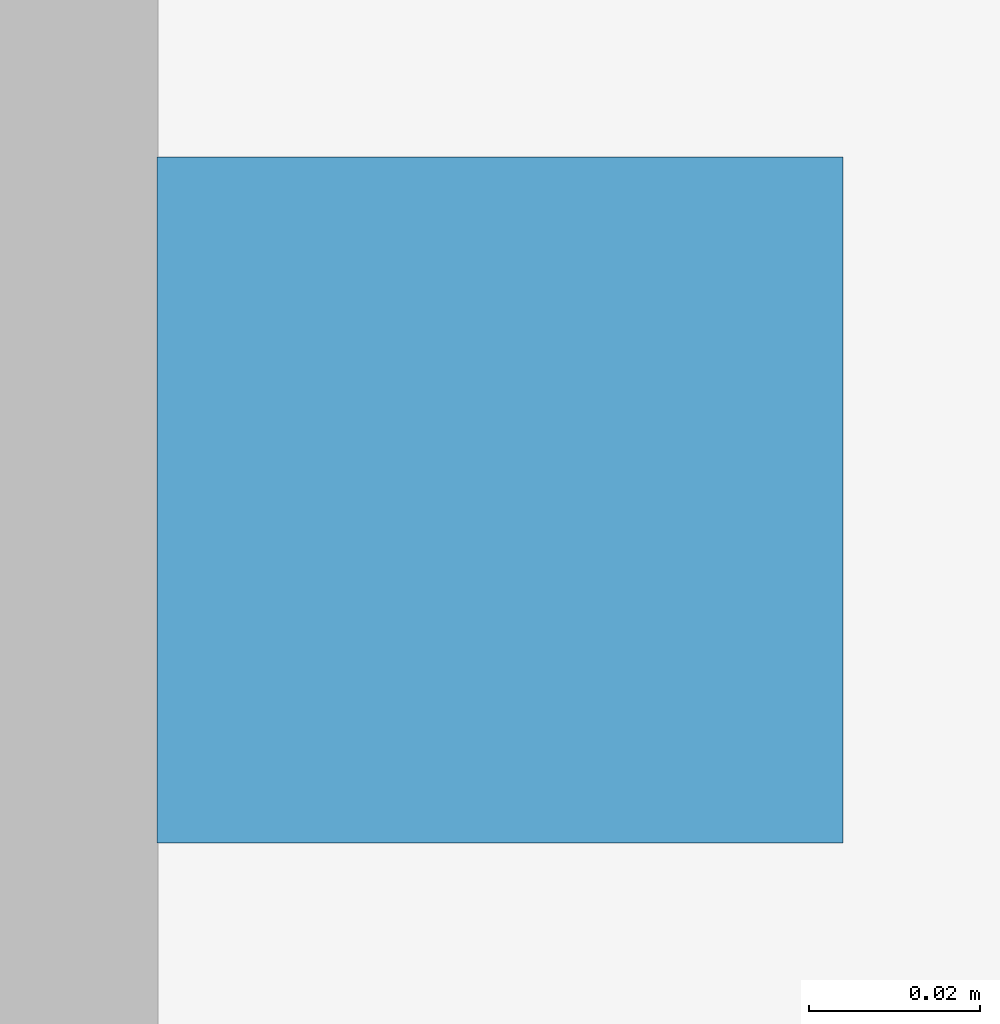
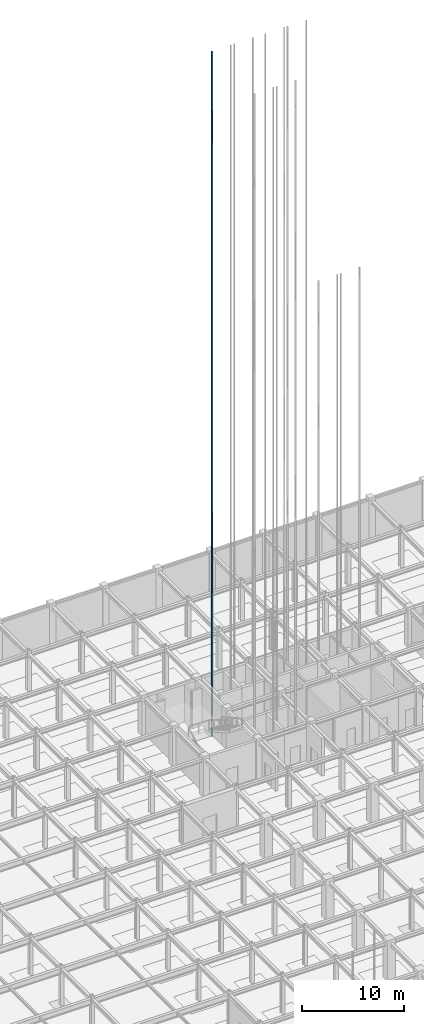
# One storey, part 56 of 69: 1 discrete accessory.
"""IFC4 building model written with IfcOpenShell, lengths in metres."""

from ifc_helpers import new_model, si_unit, direction, frame, origin, origin_2d, place, context, subcontext, project, spatial, rectangle, extrude, material, type_object, element, save


model = new_model("IFC4")

# Units and contexts
model_context = context("Model", 3, precision=1e-05, world=origin(), true_north=direction((0.0, 1.0)))
body_context = subcontext(model_context, "Body", "Model", "MODEL_VIEW")
ifc_project = project(units=[si_unit("LENGTHUNIT", "METRE"), si_unit("AREAUNIT", "SQUARE_METRE"), si_unit("VOLUMEUNIT", "CUBIC_METRE"), si_unit("PLANEANGLEUNIT", "RADIAN"), si_unit("MASSUNIT", "GRAM", prefix="KILO")], contexts=[model_context])

# Site, building, storey
site_placement = place(None, origin())
site = spatial("IfcSite", under=ifc_project, at=site_placement, CompositionType="ELEMENT")
building_placement = place(site_placement, origin())
building = spatial("IfcBuilding", under=site, at=building_placement, Name="Zlatovratsky Civic Hall", CompositionType="ELEMENT")
storey_placement = place(building_placement, frame((0.0, 0.0, -4.800048828125)))
storey = spatial("IfcBuildingStorey", under=building, at=storey_placement, Name="B1", CompositionType="ELEMENT", Elevation=-4.800048828125)

# Discrete accessory
ifc_material = material(Name="Steel S355", Category="steel")
discrete_accessory_type = type_object("IfcDiscreteAccessoryType", Name="Lift_GuideRail", PredefinedType="USERDEFINED", material=ifc_material)
discrete_accessory_placement = place(storey_placement, frame((72.68994140625, 94.14990234375, -1.60009765625), z_axis=(0.0, 0.0, 1.0), x_axis=(1.0, 0.0, 0.0)))
element("IfcDiscreteAccessory", 1, at=discrete_accessory_placement, inside=storey, type_object=discrete_accessory_type, Name="Lift Guide Rail LP-01 L", ObjectType="GUIDE RAIL", PredefinedType="USERDEFINED", context=body_context, shape_type="SweptSolid", body=[
    extrude(rectangle(XDim=0.080078125, YDim=0.080078125, at=origin_2d()), origin(), (0.0, 0.0, 1.0), 81.60009765625),
])

save(model, "model.ifc")
